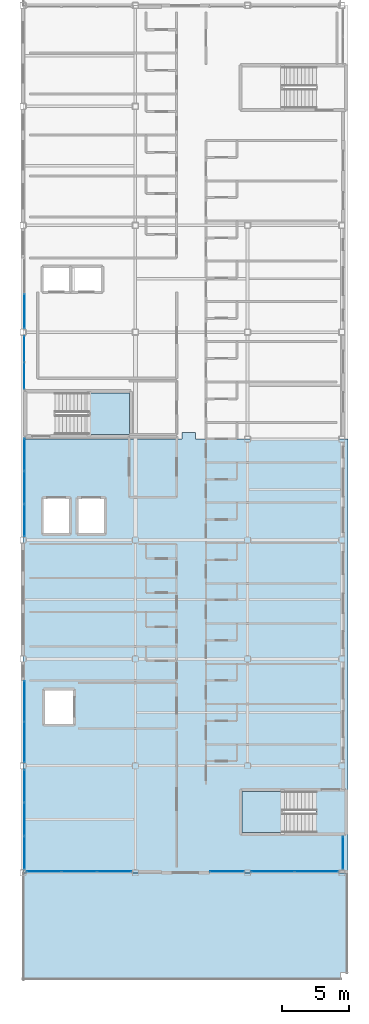
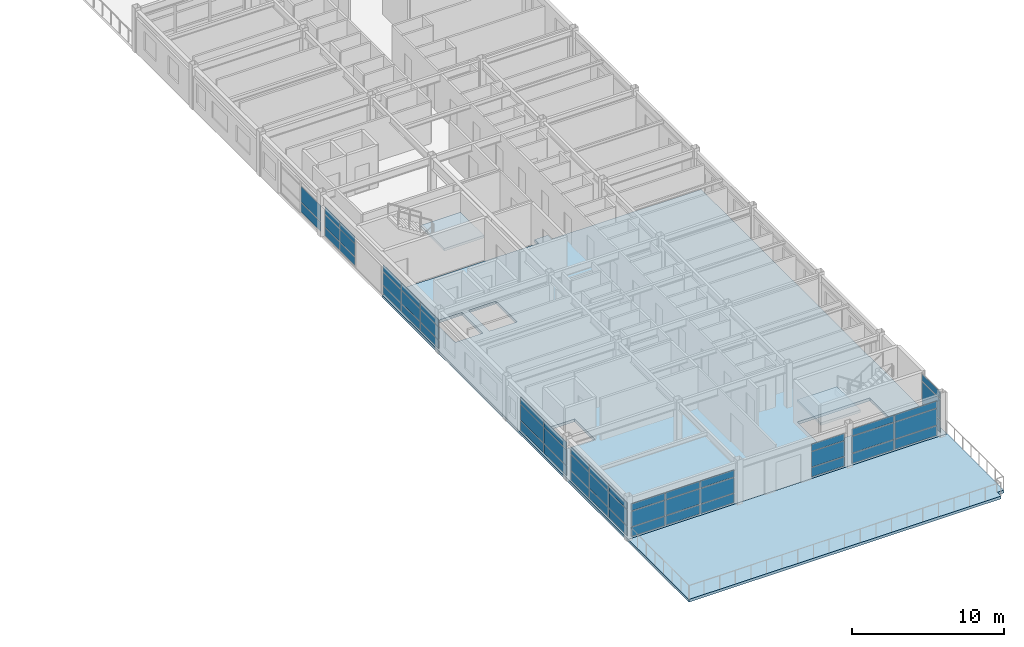
# One storey, part 18 of 28: 53 plates, 4 slabs, 11 elements without a shape of their own.
"""IFC4 building model written with IfcOpenShell, lengths in metres."""

from ifc_helpers import new_model, si_unit, direction, frame, origin, origin_2d, place, context, subcontext, project, spatial, polyline, rectangle, outline, extrude, material, layer, layer_set, type_object, element, aggregate, save


model = new_model("IFC4")

# Units and contexts
model_context = context("Model", 3, precision=1e-05, world=origin(), true_north=direction((0.0, 1.0)))
body_context = subcontext(model_context, "Body", "Model", "MODEL_VIEW")
ifc_project = project(units=[si_unit("LENGTHUNIT", "METRE"), si_unit("AREAUNIT", "SQUARE_METRE"), si_unit("VOLUMEUNIT", "CUBIC_METRE"), si_unit("PLANEANGLEUNIT", "RADIAN"), si_unit("MASSUNIT", "GRAM", prefix="KILO")], contexts=[model_context])

# Site, building, storey
site_placement = place(None, origin())
site = spatial("IfcSite", under=ifc_project, at=site_placement, CompositionType="ELEMENT")
building_placement = place(site_placement, origin())
building = spatial("IfcBuilding", under=site, at=building_placement, Name="Kazehara Bluff Congress Hotel", CompositionType="ELEMENT")
storey_placement = place(building_placement, frame((0.0, 0.0, 42.60009765625)))
storey = spatial("IfcBuildingStorey", under=building, at=storey_placement, Name="L10", CompositionType="ELEMENT", Elevation=42.60009765625)

# Curtain wall, plates
ifc_material_1 = material(Name="Anodised aluminium", Category="aluminium")
ifc_layer_1 = layer(ifc_material_1, 0.159912109375)
ifc_layer_set_1 = layer_set([ifc_layer_1], Name="Anodised aluminium")
curtain_wall_type_1 = type_object("IfcCurtainWallType", Name="TP-CW-196", PredefinedType="NOTDEFINED", material=ifc_layer_set_1)
curtain_wall_1_placement = place(storey_placement, origin())
curtain_wall_1 = element("IfcCurtainWall", 1, at=curtain_wall_1_placement, inside=storey, type_object=curtain_wall_type_1, Name="L10 curtain wall CW-196 CW-ENC-V5-L10-14790-1610", PredefinedType="NOTDEFINED")
ifc_material_2 = material(Name="Insulated low-E double glazing", Category="glass")
ifc_layer_2 = layer(ifc_material_2, 0.028076171875)
ifc_layer_set_2 = layer_set([ifc_layer_2], Name="Insulated low-E double glazing")
plate_type_1 = type_object("IfcPlateType", Name="TP-CWP-01", PredefinedType="CURTAIN_PANEL", material=ifc_layer_set_2)
plate_1_placement = place(storey_placement, frame((150.53369140625, 16.10009765625, 0.06494140625), z_axis=(0.0, 0.0, 1.0), x_axis=(-1.0, 0.0, 0.0)))
plate_1 = element("IfcPlate", 2, at=plate_1_placement, type_object=plate_type_1, Name="CW-196 panel 1.1", PredefinedType="CURTAIN_PANEL", context=body_context, shape_type="SweptSolid", body=[
    extrude(rectangle(XDim=2.552490234375, YDim=0.028076171875, at=origin_2d()), origin(), (0.0, 0.0, 1.0), 0.7275390625),
])
plate_2_placement = place(storey_placement, frame((150.53369140625, 16.10009765625, 0.857421875), z_axis=(0.0, 0.0, 1.0), x_axis=(-1.0, 0.0, 0.0)))
plate_2 = element("IfcPlate", 3, at=plate_2_placement, type_object=plate_type_1, Name="CW-196 panel 1.2", PredefinedType="CURTAIN_PANEL", context=body_context, shape_type="SweptSolid", body=[
    extrude(rectangle(XDim=2.552490234375, YDim=0.028076171875, at=origin_2d()), origin(), (0.0, 0.0, 1.0), 1.215087890625),
])
plate_3_placement = place(storey_placement, frame((150.53369140625, 16.10009765625, 2.13720703125), z_axis=(0.0, 0.0, 1.0), x_axis=(-1.0, 0.0, 0.0)))
plate_3 = element("IfcPlate", 4, at=plate_3_placement, type_object=plate_type_1, Name="CW-196 panel 1.3", PredefinedType="CURTAIN_PANEL", context=body_context, shape_type="SweptSolid", body=[
    extrude(rectangle(XDim=2.552490234375, YDim=0.028076171875, at=origin_2d()), origin(), (0.0, 0.0, 1.0), 0.552490234375),
])
plate_4_placement = place(storey_placement, frame((147.89990234375, 16.10009765625, 0.06494140625), z_axis=(0.0, 0.0, 1.0), x_axis=(-1.0, 0.0, 0.0)))
plate_4 = element("IfcPlate", 5, at=plate_4_placement, type_object=plate_type_1, Name="CW-196 panel 2.1", PredefinedType="CURTAIN_PANEL", context=body_context, shape_type="SweptSolid", body=[
    extrude(rectangle(XDim=2.5849609375, YDim=0.028076171875, at=origin_2d()), origin(), (0.0, 0.0, 1.0), 0.7275390625),
])
plate_5_placement = place(storey_placement, frame((147.89990234375, 16.10009765625, 0.857421875), z_axis=(0.0, 0.0, 1.0), x_axis=(-1.0, 0.0, 0.0)))
plate_5 = element("IfcPlate", 6, at=plate_5_placement, type_object=plate_type_1, Name="CW-196 panel 2.2", PredefinedType="CURTAIN_PANEL", context=body_context, shape_type="SweptSolid", body=[
    extrude(rectangle(XDim=2.5849609375, YDim=0.028076171875, at=origin_2d()), origin(), (0.0, 0.0, 1.0), 1.215087890625),
])
plate_6_placement = place(storey_placement, frame((147.89990234375, 16.10009765625, 2.13720703125), z_axis=(0.0, 0.0, 1.0), x_axis=(-1.0, 0.0, 0.0)))
plate_6 = element("IfcPlate", 7, at=plate_6_placement, type_object=plate_type_1, Name="CW-196 panel 2.3", PredefinedType="CURTAIN_PANEL", context=body_context, shape_type="SweptSolid", body=[
    extrude(rectangle(XDim=2.5849609375, YDim=0.028076171875, at=origin_2d()), origin(), (0.0, 0.0, 1.0), 0.552490234375),
])
plate_7_placement = place(storey_placement, frame((145.266357421875, 16.10009765625, 0.06494140625), z_axis=(0.0, 0.0, 1.0), x_axis=(-1.0, 0.0, 0.0)))
plate_7 = element("IfcPlate", 8, at=plate_7_placement, type_object=plate_type_1, Name="CW-196 panel 3.1", PredefinedType="CURTAIN_PANEL", context=body_context, shape_type="SweptSolid", body=[
    extrude(rectangle(XDim=2.552490234375, YDim=0.028076171875, at=origin_2d()), origin(), (0.0, 0.0, 1.0), 0.7275390625),
])
plate_8_placement = place(storey_placement, frame((145.266357421875, 16.10009765625, 0.857421875), z_axis=(0.0, 0.0, 1.0), x_axis=(-1.0, 0.0, 0.0)))
plate_8 = element("IfcPlate", 9, at=plate_8_placement, type_object=plate_type_1, Name="CW-196 panel 3.2", PredefinedType="CURTAIN_PANEL", context=body_context, shape_type="SweptSolid", body=[
    extrude(rectangle(XDim=2.552490234375, YDim=0.028076171875, at=origin_2d()), origin(), (0.0, 0.0, 1.0), 1.215087890625),
])
plate_9_placement = place(storey_placement, frame((145.266357421875, 16.10009765625, 2.13720703125), z_axis=(0.0, 0.0, 1.0), x_axis=(-1.0, 0.0, 0.0)))
plate_9 = element("IfcPlate", 10, at=plate_9_placement, type_object=plate_type_1, Name="CW-196 panel 3.3", PredefinedType="CURTAIN_PANEL", context=body_context, shape_type="SweptSolid", body=[
    extrude(rectangle(XDim=2.552490234375, YDim=0.028076171875, at=origin_2d()), origin(), (0.0, 0.0, 1.0), 0.552490234375),
])
aggregate(curtain_wall_1, [plate_1, plate_2, plate_3, plate_4, plate_5, plate_6, plate_7, plate_8, plate_9])

ifc_material_3 = material(Name="Anodised aluminium", Category="aluminium")
ifc_layer_3 = layer(ifc_material_3, 0.159912109375)
ifc_layer_set_3 = layer_set([ifc_layer_3], Name="Anodised aluminium")
curtain_wall_type_2 = type_object("IfcCurtainWallType", Name="TP-CW-198", PredefinedType="NOTDEFINED", material=ifc_layer_set_3)
curtain_wall_2_placement = place(storey_placement, origin())
curtain_wall_2 = element("IfcCurtainWall", 11, at=curtain_wall_2_placement, inside=storey, type_object=curtain_wall_type_2, Name="L10 curtain wall CW-198 CW-ENC-V5-L10-16402-1610", PredefinedType="NOTDEFINED")
plate_10_placement = place(storey_placement, frame((165.65869140625, 16.10009765625, 0.06494140625), z_axis=(0.0, 0.0, 1.0), x_axis=(-1.0, 0.0, 0.0)))
plate_10 = element("IfcPlate", 12, at=plate_10_placement, type_object=plate_type_1, Name="CW-198 panel 1.1", PredefinedType="CURTAIN_PANEL", context=body_context, shape_type="SweptSolid", body=[
    extrude(rectangle(XDim=3.202392578125, YDim=0.028076171875, at=origin_2d()), origin(), (0.0, 0.0, 1.0), 0.7724609375),
])
plate_11_placement = place(storey_placement, frame((165.65869140625, 16.10009765625, 0.90234375), z_axis=(0.0, 0.0, 1.0), x_axis=(-1.0, 0.0, 0.0)))
plate_11 = element("IfcPlate", 13, at=plate_11_placement, type_object=plate_type_1, Name="CW-198 panel 1.2", PredefinedType="CURTAIN_PANEL", context=body_context, shape_type="SweptSolid", body=[
    extrude(rectangle(XDim=3.202392578125, YDim=0.028076171875, at=origin_2d()), origin(), (0.0, 0.0, 1.0), 1.320068359375),
])
plate_12_placement = place(storey_placement, frame((165.65869140625, 16.10009765625, 2.28759765625), z_axis=(0.0, 0.0, 1.0), x_axis=(-1.0, 0.0, 0.0)))
plate_12 = element("IfcPlate", 14, at=plate_12_placement, type_object=plate_type_1, Name="CW-198 panel 1.3", PredefinedType="CURTAIN_PANEL", context=body_context, shape_type="SweptSolid", body=[
    extrude(rectangle(XDim=3.202392578125, YDim=0.028076171875, at=origin_2d()), origin(), (0.0, 0.0, 1.0), 0.552490234375),
])
plate_13_placement = place(storey_placement, frame((162.391357421875, 16.10009765625, 0.06494140625), z_axis=(0.0, 0.0, 1.0), x_axis=(-1.0, 0.0, 0.0)))
plate_13 = element("IfcPlate", 15, at=plate_13_placement, type_object=plate_type_1, Name="CW-198 panel 2.1", PredefinedType="CURTAIN_PANEL", context=body_context, shape_type="SweptSolid", body=[
    extrude(rectangle(XDim=3.202392578125, YDim=0.028076171875, at=origin_2d()), origin(), (0.0, 0.0, 1.0), 0.7724609375),
])
plate_14_placement = place(storey_placement, frame((162.391357421875, 16.10009765625, 0.90234375), z_axis=(0.0, 0.0, 1.0), x_axis=(-1.0, 0.0, 0.0)))
plate_14 = element("IfcPlate", 16, at=plate_14_placement, type_object=plate_type_1, Name="CW-198 panel 2.2", PredefinedType="CURTAIN_PANEL", context=body_context, shape_type="SweptSolid", body=[
    extrude(rectangle(XDim=3.202392578125, YDim=0.028076171875, at=origin_2d()), origin(), (0.0, 0.0, 1.0), 1.320068359375),
])
plate_15_placement = place(storey_placement, frame((162.391357421875, 16.10009765625, 2.28759765625), z_axis=(0.0, 0.0, 1.0), x_axis=(-1.0, 0.0, 0.0)))
plate_15 = element("IfcPlate", 17, at=plate_15_placement, type_object=plate_type_1, Name="CW-198 panel 2.3", PredefinedType="CURTAIN_PANEL", context=body_context, shape_type="SweptSolid", body=[
    extrude(rectangle(XDim=3.202392578125, YDim=0.028076171875, at=origin_2d()), origin(), (0.0, 0.0, 1.0), 0.552490234375),
])
aggregate(curtain_wall_2, [plate_10, plate_11, plate_12, plate_13, plate_14, plate_15])

ifc_material_4 = material(Name="Anodised aluminium", Category="aluminium")
ifc_layer_4 = layer(ifc_material_4, 0.159912109375)
ifc_layer_set_4 = layer_set([ifc_layer_4], Name="Anodised aluminium")
curtain_wall_type_3 = type_object("IfcCurtainWallType", Name="TP-CW-201", PredefinedType="NOTDEFINED", material=ifc_layer_set_4)
curtain_wall_3_placement = place(storey_placement, origin())
curtain_wall_3 = element("IfcCurtainWall", 18, at=curtain_wall_3_placement, inside=storey, type_object=curtain_wall_type_3, Name="L10 curtain wall CW-201 CW-ENC-V5-L10-14380-2000", PredefinedType="NOTDEFINED")
plate_16_placement = place(storey_placement, frame((143.800048828125, 17.49951171875, 0.06494140625), z_axis=(0.0, 0.0, 1.0), x_axis=(0.0, 1.0, 0.0)))
plate_16 = element("IfcPlate", 19, at=plate_16_placement, type_object=plate_type_1, Name="CW-201 panel 1.1", PredefinedType="CURTAIN_PANEL", context=body_context, shape_type="SweptSolid", body=[
    extrude(rectangle(XDim=2.419189453125, YDim=0.028076171875, at=origin_2d()), origin(), (0.0, 0.0, 1.0), 0.742431640625),
])
plate_17_placement = place(storey_placement, frame((143.800048828125, 17.49951171875, 0.872314453125), z_axis=(0.0, 0.0, 1.0), x_axis=(0.0, 1.0, 0.0)))
plate_17 = element("IfcPlate", 20, at=plate_17_placement, type_object=plate_type_1, Name="CW-201 panel 1.2", PredefinedType="CURTAIN_PANEL", context=body_context, shape_type="SweptSolid", body=[
    extrude(rectangle(XDim=2.419189453125, YDim=0.028076171875, at=origin_2d()), origin(), (0.0, 0.0, 1.0), 1.25),
])
plate_18_placement = place(storey_placement, frame((143.800048828125, 17.49951171875, 2.1875), z_axis=(0.0, 0.0, 1.0), x_axis=(0.0, 1.0, 0.0)))
plate_18 = element("IfcPlate", 21, at=plate_18_placement, type_object=plate_type_1, Name="CW-201 panel 1.3", PredefinedType="CURTAIN_PANEL", context=body_context, shape_type="SweptSolid", body=[
    extrude(rectangle(XDim=2.419189453125, YDim=0.028076171875, at=origin_2d()), origin(), (0.0, 0.0, 1.0), 0.552490234375),
])
plate_19_placement = place(storey_placement, frame((143.800048828125, 20.0, 0.06494140625), z_axis=(0.0, 0.0, 1.0), x_axis=(0.0, 1.0, 0.0)))
plate_19 = element("IfcPlate", 22, at=plate_19_placement, type_object=plate_type_1, Name="CW-201 panel 2.1", PredefinedType="CURTAIN_PANEL", context=body_context, shape_type="SweptSolid", body=[
    extrude(rectangle(XDim=2.45166015625, YDim=0.028076171875, at=origin_2d()), origin(), (0.0, 0.0, 1.0), 0.742431640625),
])
plate_20_placement = place(storey_placement, frame((143.800048828125, 20.0, 0.872314453125), z_axis=(0.0, 0.0, 1.0), x_axis=(0.0, 1.0, 0.0)))
plate_20 = element("IfcPlate", 23, at=plate_20_placement, type_object=plate_type_1, Name="CW-201 panel 2.2", PredefinedType="CURTAIN_PANEL", context=body_context, shape_type="SweptSolid", body=[
    extrude(rectangle(XDim=2.45166015625, YDim=0.028076171875, at=origin_2d()), origin(), (0.0, 0.0, 1.0), 1.25),
])
plate_21_placement = place(storey_placement, frame((143.800048828125, 20.0, 2.1875), z_axis=(0.0, 0.0, 1.0), x_axis=(0.0, 1.0, 0.0)))
plate_21 = element("IfcPlate", 24, at=plate_21_placement, type_object=plate_type_1, Name="CW-201 panel 2.3", PredefinedType="CURTAIN_PANEL", context=body_context, shape_type="SweptSolid", body=[
    extrude(rectangle(XDim=2.45166015625, YDim=0.028076171875, at=origin_2d()), origin(), (0.0, 0.0, 1.0), 0.552490234375),
])
plate_22_placement = place(storey_placement, frame((143.800048828125, 22.50048828125, 0.06494140625), z_axis=(0.0, 0.0, 1.0), x_axis=(0.0, 1.0, 0.0)))
plate_22 = element("IfcPlate", 25, at=plate_22_placement, type_object=plate_type_1, Name="CW-201 panel 3.1", PredefinedType="CURTAIN_PANEL", context=body_context, shape_type="SweptSolid", body=[
    extrude(rectangle(XDim=2.419189453125, YDim=0.028076171875, at=origin_2d()), origin(), (0.0, 0.0, 1.0), 0.742431640625),
])
plate_23_placement = place(storey_placement, frame((143.800048828125, 22.50048828125, 0.872314453125), z_axis=(0.0, 0.0, 1.0), x_axis=(0.0, 1.0, 0.0)))
plate_23 = element("IfcPlate", 26, at=plate_23_placement, type_object=plate_type_1, Name="CW-201 panel 3.2", PredefinedType="CURTAIN_PANEL", context=body_context, shape_type="SweptSolid", body=[
    extrude(rectangle(XDim=2.419189453125, YDim=0.028076171875, at=origin_2d()), origin(), (0.0, 0.0, 1.0), 1.25),
])
plate_24_placement = place(storey_placement, frame((143.800048828125, 22.50048828125, 2.1875), z_axis=(0.0, 0.0, 1.0), x_axis=(0.0, 1.0, 0.0)))
plate_24 = element("IfcPlate", 27, at=plate_24_placement, type_object=plate_type_1, Name="CW-201 panel 3.3", PredefinedType="CURTAIN_PANEL", context=body_context, shape_type="SweptSolid", body=[
    extrude(rectangle(XDim=2.419189453125, YDim=0.028076171875, at=origin_2d()), origin(), (0.0, 0.0, 1.0), 0.552490234375),
])
aggregate(curtain_wall_3, [plate_16, plate_17, plate_18, plate_19, plate_20, plate_21, plate_22, plate_23, plate_24])

ifc_material_5 = material(Name="Anodised aluminium", Category="aluminium")
ifc_layer_5 = layer(ifc_material_5, 0.159912109375)
ifc_layer_set_5 = layer_set([ifc_layer_5], Name="Anodised aluminium")
curtain_wall_type_4 = type_object("IfcCurtainWallType", Name="TP-CW-202", PredefinedType="NOTDEFINED", material=ifc_layer_set_5)
curtain_wall_4_placement = place(storey_placement, origin())
curtain_wall_4 = element("IfcCurtainWall", 28, at=curtain_wall_4_placement, inside=storey, type_object=curtain_wall_type_4, Name="L10 curtain wall CW-202 CW-ENC-V5-L10-14380-2731", PredefinedType="NOTDEFINED")
plate_25_placement = place(storey_placement, frame((143.800048828125, 25.78369140625, 0.059814453125), z_axis=(0.0, 0.0, 1.0), x_axis=(0.0, 1.0, 0.0)))
plate_25 = element("IfcPlate", 29, at=plate_25_placement, type_object=plate_type_1, Name="CW-202 panel 1.1", PredefinedType="CURTAIN_PANEL", context=body_context, shape_type="SweptSolid", body=[
    extrude(rectangle(XDim=2.99755859375, YDim=0.028076171875, at=origin_2d()), origin(), (0.0, 0.0, 1.0), 0.75),
])
plate_26_placement = place(storey_placement, frame((143.800048828125, 25.78369140625, 0.869873046875), z_axis=(0.0, 0.0, 1.0), x_axis=(0.0, 1.0, 0.0)))
plate_26 = element("IfcPlate", 30, at=plate_26_placement, type_object=plate_type_1, Name="CW-202 panel 1.2", PredefinedType="CURTAIN_PANEL", context=body_context, shape_type="SweptSolid", body=[
    extrude(rectangle(XDim=2.99755859375, YDim=0.028076171875, at=origin_2d()), origin(), (0.0, 0.0, 1.0), 1.2548828125),
])
plate_27_placement = place(storey_placement, frame((143.800048828125, 25.78369140625, 2.184814453125), z_axis=(0.0, 0.0, 1.0), x_axis=(0.0, 1.0, 0.0)))
plate_27 = element("IfcPlate", 31, at=plate_27_placement, type_object=plate_type_1, Name="CW-202 panel 1.3", PredefinedType="CURTAIN_PANEL", context=body_context, shape_type="SweptSolid", body=[
    extrude(rectangle(XDim=2.99755859375, YDim=0.028076171875, at=origin_2d()), origin(), (0.0, 0.0, 1.0), 0.56005859375),
])
plate_28_placement = place(storey_placement, frame((143.800048828125, 28.84130859375, 0.059814453125), z_axis=(0.0, 0.0, 1.0), x_axis=(0.0, 1.0, 0.0)))
plate_28 = element("IfcPlate", 32, at=plate_28_placement, type_object=plate_type_1, Name="CW-202 panel 2.1", PredefinedType="CURTAIN_PANEL", context=body_context, shape_type="SweptSolid", body=[
    extrude(rectangle(XDim=2.99755859375, YDim=0.028076171875, at=origin_2d()), origin(), (0.0, 0.0, 1.0), 0.75),
])
plate_29_placement = place(storey_placement, frame((143.800048828125, 28.84130859375, 0.869873046875), z_axis=(0.0, 0.0, 1.0), x_axis=(0.0, 1.0, 0.0)))
plate_29 = element("IfcPlate", 33, at=plate_29_placement, type_object=plate_type_1, Name="CW-202 panel 2.2", PredefinedType="CURTAIN_PANEL", context=body_context, shape_type="SweptSolid", body=[
    extrude(rectangle(XDim=2.99755859375, YDim=0.028076171875, at=origin_2d()), origin(), (0.0, 0.0, 1.0), 1.2548828125),
])
plate_30_placement = place(storey_placement, frame((143.800048828125, 28.84130859375, 2.184814453125), z_axis=(0.0, 0.0, 1.0), x_axis=(0.0, 1.0, 0.0)))
plate_30 = element("IfcPlate", 34, at=plate_30_placement, type_object=plate_type_1, Name="CW-202 panel 2.3", PredefinedType="CURTAIN_PANEL", context=body_context, shape_type="SweptSolid", body=[
    extrude(rectangle(XDim=2.99755859375, YDim=0.028076171875, at=origin_2d()), origin(), (0.0, 0.0, 1.0), 0.56005859375),
])
aggregate(curtain_wall_4, [plate_25, plate_26, plate_27, plate_28, plate_29, plate_30])

ifc_material_6 = material(Name="Anodised aluminium", Category="aluminium")
ifc_layer_6 = layer(ifc_material_6, 0.159912109375)
ifc_layer_set_6 = layer_set([ifc_layer_6], Name="Anodised aluminium")
curtain_wall_type_5 = type_object("IfcCurtainWallType", Name="TP-CW-203", PredefinedType="NOTDEFINED", material=ifc_layer_set_6)
curtain_wall_5_placement = place(storey_placement, origin())
curtain_wall_5 = element("IfcCurtainWall", 35, at=curtain_wall_5_placement, inside=storey, type_object=curtain_wall_type_5, Name="L10 curtain wall CW-203 CW-ENC-V5-L10-14380-4483", PredefinedType="NOTDEFINED")
plate_31_placement = place(storey_placement, frame((143.800048828125, 42.377197265625, 0.06494140625), z_axis=(0.0, 0.0, 1.0), x_axis=(0.0, 1.0, 0.0)))
plate_31 = element("IfcPlate", 36, at=plate_31_placement, type_object=plate_type_1, Name="CW-203 panel 1.1", PredefinedType="CURTAIN_PANEL", context=body_context, shape_type="SweptSolid", body=[
    extrude(rectangle(XDim=2.374267578125, YDim=0.028076171875, at=origin_2d()), origin(), (0.0, 0.0, 1.0), 0.637451171875),
])
plate_32_placement = place(storey_placement, frame((143.800048828125, 42.377197265625, 0.767578125), z_axis=(0.0, 0.0, 1.0), x_axis=(0.0, 1.0, 0.0)))
plate_32 = element("IfcPlate", 37, at=plate_32_placement, type_object=plate_type_1, Name="CW-203 panel 1.2", PredefinedType="CURTAIN_PANEL", context=body_context, shape_type="SweptSolid", body=[
    extrude(rectangle(XDim=2.374267578125, YDim=0.028076171875, at=origin_2d()), origin(), (0.0, 0.0, 1.0), 1.0048828125),
])
plate_33_placement = place(storey_placement, frame((143.800048828125, 42.377197265625, 1.83740234375), z_axis=(0.0, 0.0, 1.0), x_axis=(0.0, 1.0, 0.0)))
plate_33 = element("IfcPlate", 38, at=plate_33_placement, type_object=plate_type_1, Name="CW-203 panel 1.3", PredefinedType="CURTAIN_PANEL", context=body_context, shape_type="SweptSolid", body=[
    extrude(rectangle(XDim=2.374267578125, YDim=0.028076171875, at=origin_2d()), origin(), (0.0, 0.0, 1.0), 0.552490234375),
])
plate_34_placement = place(storey_placement, frame((143.800048828125, 44.83251953125, 0.06494140625), z_axis=(0.0, 0.0, 1.0), x_axis=(0.0, 1.0, 0.0)))
plate_34 = element("IfcPlate", 39, at=plate_34_placement, type_object=plate_type_1, Name="CW-203 panel 2.1", PredefinedType="CURTAIN_PANEL", context=body_context, shape_type="SweptSolid", body=[
    extrude(rectangle(XDim=2.40673828125, YDim=0.028076171875, at=origin_2d()), origin(), (0.0, 0.0, 1.0), 0.637451171875),
])
plate_35_placement = place(storey_placement, frame((143.800048828125, 44.83251953125, 0.767578125), z_axis=(0.0, 0.0, 1.0), x_axis=(0.0, 1.0, 0.0)))
plate_35 = element("IfcPlate", 40, at=plate_35_placement, type_object=plate_type_1, Name="CW-203 panel 2.2", PredefinedType="CURTAIN_PANEL", context=body_context, shape_type="SweptSolid", body=[
    extrude(rectangle(XDim=2.40673828125, YDim=0.028076171875, at=origin_2d()), origin(), (0.0, 0.0, 1.0), 1.0048828125),
])
plate_36_placement = place(storey_placement, frame((143.800048828125, 44.83251953125, 1.83740234375), z_axis=(0.0, 0.0, 1.0), x_axis=(0.0, 1.0, 0.0)))
plate_36 = element("IfcPlate", 41, at=plate_36_placement, type_object=plate_type_1, Name="CW-203 panel 2.3", PredefinedType="CURTAIN_PANEL", context=body_context, shape_type="SweptSolid", body=[
    extrude(rectangle(XDim=2.40673828125, YDim=0.028076171875, at=origin_2d()), origin(), (0.0, 0.0, 1.0), 0.552490234375),
])
plate_37_placement = place(storey_placement, frame((143.800048828125, 47.287841796875, 0.06494140625), z_axis=(0.0, 0.0, 1.0), x_axis=(0.0, 1.0, 0.0)))
plate_37 = element("IfcPlate", 42, at=plate_37_placement, type_object=plate_type_1, Name="CW-203 panel 3.1", PredefinedType="CURTAIN_PANEL", context=body_context, shape_type="SweptSolid", body=[
    extrude(rectangle(XDim=2.374267578125, YDim=0.028076171875, at=origin_2d()), origin(), (0.0, 0.0, 1.0), 0.637451171875),
])
plate_38_placement = place(storey_placement, frame((143.800048828125, 47.287841796875, 0.767578125), z_axis=(0.0, 0.0, 1.0), x_axis=(0.0, 1.0, 0.0)))
plate_38 = element("IfcPlate", 43, at=plate_38_placement, type_object=plate_type_1, Name="CW-203 panel 3.2", PredefinedType="CURTAIN_PANEL", context=body_context, shape_type="SweptSolid", body=[
    extrude(rectangle(XDim=2.374267578125, YDim=0.028076171875, at=origin_2d()), origin(), (0.0, 0.0, 1.0), 1.0048828125),
])
plate_39_placement = place(storey_placement, frame((143.800048828125, 47.287841796875, 1.83740234375), z_axis=(0.0, 0.0, 1.0), x_axis=(0.0, 1.0, 0.0)))
plate_39 = element("IfcPlate", 44, at=plate_39_placement, type_object=plate_type_1, Name="CW-203 panel 3.3", PredefinedType="CURTAIN_PANEL", context=body_context, shape_type="SweptSolid", body=[
    extrude(rectangle(XDim=2.374267578125, YDim=0.028076171875, at=origin_2d()), origin(), (0.0, 0.0, 1.0), 0.552490234375),
])
aggregate(curtain_wall_5, [plate_31, plate_32, plate_33, plate_34, plate_35, plate_36, plate_37, plate_38, plate_39])

ifc_material_7 = material(Name="Anodised aluminium", Category="aluminium")
ifc_layer_7 = layer(ifc_material_7, 0.159912109375)
ifc_layer_set_7 = layer_set([ifc_layer_7], Name="Anodised aluminium")
curtain_wall_type_6 = type_object("IfcCurtainWallType", Name="TP-CW-205", PredefinedType="NOTDEFINED", material=ifc_layer_set_7)
curtain_wall_6_placement = place(storey_placement, origin())
curtain_wall_6 = element("IfcCurtainWall", 45, at=curtain_wall_6_placement, inside=storey, type_object=curtain_wall_type_6, Name="L10 curtain wall CW-205 CW-ENC-V5-L10-14380-5934", PredefinedType="NOTDEFINED")
plate_40_placement = place(storey_placement, frame((143.800048828125, 58.021240234375, 0.059814453125), z_axis=(0.0, 0.0, 1.0), x_axis=(0.0, 1.0, 0.0)))
plate_40 = element("IfcPlate", 46, at=plate_40_placement, type_object=plate_type_1, Name="CW-205 panel 1.1", PredefinedType="CURTAIN_PANEL", context=body_context, shape_type="SweptSolid", body=[
    extrude(rectangle(XDim=2.572509765625, YDim=0.028076171875, at=origin_2d()), origin(), (0.0, 0.0, 1.0), 0.75),
])
plate_41_placement = place(storey_placement, frame((143.800048828125, 58.021240234375, 0.869873046875), z_axis=(0.0, 0.0, 1.0), x_axis=(0.0, 1.0, 0.0)))
plate_41 = element("IfcPlate", 47, at=plate_41_placement, type_object=plate_type_1, Name="CW-205 panel 1.2", PredefinedType="CURTAIN_PANEL", context=body_context, shape_type="SweptSolid", body=[
    extrude(rectangle(XDim=2.572509765625, YDim=0.028076171875, at=origin_2d()), origin(), (0.0, 0.0, 1.0), 1.2548828125),
])
aggregate(curtain_wall_6, [plate_40, plate_41])

ifc_material_8 = material(Name="Anodised aluminium", Category="aluminium")
ifc_layer_8 = layer(ifc_material_8, 0.159912109375)
ifc_layer_set_8 = layer_set([ifc_layer_8], Name="Anodised aluminium")
curtain_wall_type_7 = type_object("IfcCurtainWallType", Name="TP-CW-197", PredefinedType="NOTDEFINED", material=ifc_layer_set_8)
curtain_wall_7_placement = place(storey_placement, origin())
curtain_wall_7 = element("IfcCurtainWall", 48, at=curtain_wall_7_placement, inside=storey, type_object=curtain_wall_type_7, Name="L10 curtain wall CW-197 CW-ENC-V5-L10-15896-1610", PredefinedType="NOTDEFINED")
ifc_material_9 = material(Name="Insulated low-E double glazing", Category="glass")
ifc_layer_9 = layer(ifc_material_9, 0.02001953125)
ifc_layer_set_9 = layer_set([ifc_layer_9], Name="Insulated low-E double glazing")
plate_type_2 = type_object("IfcPlateType", Name="TP-CWP-03", PredefinedType="CURTAIN_PANEL", material=ifc_layer_set_9)
plate_42_placement = place(storey_placement, frame((158.96240234375, 16.10009765625, 0.06005859375), z_axis=(0.0, 0.0, 1.0), x_axis=(-1.0, 0.0, 0.0)))
plate_42 = element("IfcPlate", 49, at=plate_42_placement, type_object=plate_type_2, Name="CW-197 panel 1.1", PredefinedType="CURTAIN_PANEL", context=body_context, shape_type="SweptSolid", body=[
    extrude(rectangle(XDim=2.5048828125, YDim=0.02001953125, at=origin_2d()), origin(), (0.0, 0.0, 1.0), 0.735107421875),
])
plate_43_placement = place(storey_placement, frame((158.96240234375, 16.10009765625, 0.85498046875), z_axis=(0.0, 0.0, 1.0), x_axis=(-1.0, 0.0, 0.0)))
plate_43 = element("IfcPlate", 50, at=plate_43_placement, type_object=plate_type_2, Name="CW-197 panel 1.2", PredefinedType="CURTAIN_PANEL", context=body_context, shape_type="SweptSolid", body=[
    extrude(rectangle(XDim=2.5048828125, YDim=0.02001953125, at=origin_2d()), origin(), (0.0, 0.0, 1.0), 1.219970703125),
])
plate_44_placement = place(storey_placement, frame((158.96240234375, 16.10009765625, 2.134765625), z_axis=(0.0, 0.0, 1.0), x_axis=(-1.0, 0.0, 0.0)))
plate_44 = element("IfcPlate", 51, at=plate_44_placement, type_object=plate_type_2, Name="CW-197 panel 1.3", PredefinedType="CURTAIN_PANEL", context=body_context, shape_type="SweptSolid", body=[
    extrude(rectangle(XDim=2.5048828125, YDim=0.02001953125, at=origin_2d()), origin(), (0.0, 0.0, 1.0), 0.56005859375),
])
aggregate(curtain_wall_7, [plate_42, plate_43, plate_44])

ifc_material_10 = material(Name="Anodised aluminium", Category="aluminium")
ifc_layer_10 = layer(ifc_material_10, 0.159912109375)
ifc_layer_set_10 = layer_set([ifc_layer_10], Name="Anodised aluminium")
curtain_wall_type_8 = type_object("IfcCurtainWallType", Name="TP-CW-199", PredefinedType="NOTDEFINED", material=ifc_layer_set_10)
curtain_wall_8_placement = place(storey_placement, origin())
curtain_wall_8 = element("IfcCurtainWall", 52, at=curtain_wall_8_placement, inside=storey, type_object=curtain_wall_type_8, Name="L10 curtain wall CW-199 CW-ENC-V5-L10-16765-1748", PredefinedType="NOTDEFINED")
plate_45_placement = place(storey_placement, frame((167.64990234375, 17.485107421875, 0.06005859375), z_axis=(0.0, 0.0, 1.0), x_axis=(0.0, -1.0, 0.0)))
plate_45 = element("IfcPlate", 53, at=plate_45_placement, type_object=plate_type_2, Name="CW-199 panel 1.1", PredefinedType="CURTAIN_PANEL", context=body_context, shape_type="SweptSolid", body=[
    extrude(rectangle(XDim=2.389892578125, YDim=0.02001953125, at=origin_2d()), origin(), (0.0, 0.0, 1.0), 0.919921875),
])
plate_46_placement = place(storey_placement, frame((167.64990234375, 17.485107421875, 1.039794921875), z_axis=(0.0, 0.0, 1.0), x_axis=(0.0, -1.0, 0.0)))
plate_46 = element("IfcPlate", 54, at=plate_46_placement, type_object=plate_type_2, Name="CW-199 panel 1.2", PredefinedType="CURTAIN_PANEL", context=body_context, shape_type="SweptSolid", body=[
    extrude(rectangle(XDim=2.389892578125, YDim=0.02001953125, at=origin_2d()), origin(), (0.0, 0.0, 1.0), 1.64501953125),
])
plate_47_placement = place(storey_placement, frame((167.64990234375, 17.485107421875, 2.744873046875), z_axis=(0.0, 0.0, 1.0), x_axis=(0.0, -1.0, 0.0)))
plate_47 = element("IfcPlate", 55, at=plate_47_placement, type_object=plate_type_2, Name="CW-199 panel 1.3", PredefinedType="CURTAIN_PANEL", context=body_context, shape_type="SweptSolid", body=[
    extrude(rectangle(XDim=2.389892578125, YDim=0.02001953125, at=origin_2d()), origin(), (0.0, 0.0, 1.0), 0.56005859375),
])
aggregate(curtain_wall_8, [plate_45, plate_46, plate_47])

ifc_material_11 = material(Name="Anodised aluminium", Category="aluminium")
ifc_layer_11 = layer(ifc_material_11, 0.159912109375)
ifc_layer_set_11 = layer_set([ifc_layer_11], Name="Anodised aluminium")
curtain_wall_type_9 = type_object("IfcCurtainWallType", Name="TP-CW-204", PredefinedType="NOTDEFINED", material=ifc_layer_set_11)
curtain_wall_9_placement = place(storey_placement, origin())
curtain_wall_9 = element("IfcCurtainWall", 56, at=curtain_wall_9_placement, inside=storey, type_object=curtain_wall_type_9, Name="L10 curtain wall CW-204 CW-ENC-V5-L10-14380-5419", PredefinedType="NOTDEFINED")
plate_48_placement = place(storey_placement, frame((143.800048828125, 53.191162109375, 0.059814453125), z_axis=(0.0, 0.0, 1.0), x_axis=(0.0, 1.0, 0.0)))
plate_48 = element("IfcPlate", 57, at=plate_48_placement, type_object=plate_type_2, Name="CW-204 panel 1.1", PredefinedType="CURTAIN_PANEL", context=body_context, shape_type="SweptSolid", body=[
    extrude(rectangle(XDim=1.9423828125, YDim=0.02001953125, at=origin_2d()), origin(), (0.0, 0.0, 1.0), 0.64501953125),
])
plate_49_placement = place(storey_placement, frame((143.800048828125, 53.191162109375, 0.76513671875), z_axis=(0.0, 0.0, 1.0), x_axis=(0.0, 1.0, 0.0)))
plate_49 = element("IfcPlate", 58, at=plate_49_placement, type_object=plate_type_2, Name="CW-204 panel 1.2", PredefinedType="CURTAIN_PANEL", context=body_context, shape_type="SweptSolid", body=[
    extrude(rectangle(XDim=1.9423828125, YDim=0.02001953125, at=origin_2d()), origin(), (0.0, 0.0, 1.0), 1.010009765625),
])
plate_50_placement = place(storey_placement, frame((143.800048828125, 53.191162109375, 1.8349609375), z_axis=(0.0, 0.0, 1.0), x_axis=(0.0, 1.0, 0.0)))
plate_50 = element("IfcPlate", 59, at=plate_50_placement, type_object=plate_type_2, Name="CW-204 panel 1.3", PredefinedType="CURTAIN_PANEL", context=body_context, shape_type="SweptSolid", body=[
    extrude(rectangle(XDim=1.9423828125, YDim=0.02001953125, at=origin_2d()), origin(), (0.0, 0.0, 1.0), 0.56005859375),
])
plate_51_placement = place(storey_placement, frame((143.800048828125, 55.19384765625, 0.059814453125), z_axis=(0.0, 0.0, 1.0), x_axis=(0.0, 1.0, 0.0)))
plate_51 = element("IfcPlate", 60, at=plate_51_placement, type_object=plate_type_2, Name="CW-204 panel 2.1", PredefinedType="CURTAIN_PANEL", context=body_context, shape_type="SweptSolid", body=[
    extrude(rectangle(XDim=1.9423828125, YDim=0.02001953125, at=origin_2d()), origin(), (0.0, 0.0, 1.0), 0.64501953125),
])
plate_52_placement = place(storey_placement, frame((143.800048828125, 55.19384765625, 0.76513671875), z_axis=(0.0, 0.0, 1.0), x_axis=(0.0, 1.0, 0.0)))
plate_52 = element("IfcPlate", 61, at=plate_52_placement, type_object=plate_type_2, Name="CW-204 panel 2.2", PredefinedType="CURTAIN_PANEL", context=body_context, shape_type="SweptSolid", body=[
    extrude(rectangle(XDim=1.9423828125, YDim=0.02001953125, at=origin_2d()), origin(), (0.0, 0.0, 1.0), 1.010009765625),
])
plate_53_placement = place(storey_placement, frame((143.800048828125, 55.19384765625, 1.8349609375), z_axis=(0.0, 0.0, 1.0), x_axis=(0.0, 1.0, 0.0)))
plate_53 = element("IfcPlate", 62, at=plate_53_placement, type_object=plate_type_2, Name="CW-204 panel 2.3", PredefinedType="CURTAIN_PANEL", context=body_context, shape_type="SweptSolid", body=[
    extrude(rectangle(XDim=1.9423828125, YDim=0.02001953125, at=origin_2d()), origin(), (0.0, 0.0, 1.0), 0.56005859375),
])
aggregate(curtain_wall_9, [plate_48, plate_49, plate_50, plate_51, plate_52, plate_53])

# Slabs
ifc_material_12 = material(Name="Concrete C36/45", Category="concrete")
ifc_layer_12 = layer(ifc_material_12, 0.219970703125)
ifc_layer_set_12 = layer_set([ifc_layer_12], Name="Concrete C36/45")
slab_type_1 = type_object("IfcSlabType", Name="TP-SL-220", PredefinedType="FLOOR", material=ifc_layer_set_12)
slab_1_placement = place(storey_placement, frame((0.0, 0.0, -0.22021484375)))
element("IfcSlab", 63, at=slab_1_placement, inside=storey, type_object=slab_type_1, Name="L10 V5 composite floor slab S", PredefinedType="FLOOR", context=body_context, shape_type="SweptSolid", body=[
    extrude(outline(polyline([(143.699951171875, 16.0), (143.699951171875, 48.449951171875), (155.60009765625, 48.449951171875), (155.60009765625, 48.949951171875), (156.60009765625, 48.949951171875), (156.60009765625, 48.449951171875), (168.0, 48.449951171875), (168.0, 16.0), (143.699951171875, 16.0)]), holes=[polyline([(165.625, 22.10009765625), (160.10009765625, 22.10009765625), (160.10009765625, 19.0), (165.625, 19.0), (165.625, 22.10009765625)]), polyline([(145.14990234375, 41.324951171875), (147.25, 41.324951171875), (147.25, 44.074951171875), (145.14990234375, 44.074951171875), (145.14990234375, 41.324951171875)]), polyline([(147.75, 41.324951171875), (149.85009765625, 41.324951171875), (149.85009765625, 44.074951171875), (147.75, 44.074951171875), (147.75, 41.324951171875)]), polyline([(145.25, 27.050048828125), (147.550048828125, 27.050048828125), (147.550048828125, 29.75), (145.25, 29.75), (145.25, 27.050048828125)])]), origin(), (0.0, 0.0, 1.0), 0.22021484375),
])
ifc_material_13 = material(Name="Concrete C36/45", Category="concrete")
ifc_layer_13 = layer(ifc_material_13, 0.219970703125)
ifc_layer_set_13 = layer_set([ifc_layer_13], Name="Concrete C36/45")
slab_type_2 = type_object("IfcSlabType", Name="TP-SL-TER", PredefinedType="FLOOR", material=ifc_layer_set_13)
slab_2_placement = place(storey_placement, frame((0.0, 0.0, -0.22021484375)))
element("IfcSlab", 64, at=slab_2_placement, inside=storey, type_object=slab_type_2, Name="Executive South Sky Terrace", PredefinedType="FLOOR", context=body_context, shape_type="SweptSolid", body=[
    extrude(outline(polyline([(143.699951171875, 8.0), (167.5, 8.0), (167.5, 8.5), (168.0, 8.5), (168.0, 16.0), (143.699951171875, 16.0), (143.699951171875, 8.0)])), origin(), (0.0, 0.0, 1.0), 0.22021484375),
])

# Stair, slab
ifc_material_14 = material(Name="Concrete C36/45", Category="concrete")
stair_type = type_object("IfcStairType", Name="TP-ST-T03", PredefinedType="HALF_TURN_STAIR", material=ifc_material_14)
stair_1_placement = place(storey_placement, origin())
stair_1 = element("IfcStair", 65, at=stair_1_placement, inside=storey, type_object=stair_type, Name="L10 Escape stair ST-10", PredefinedType="HALF_TURN_STAIR")
ifc_material_15 = material(Name="Concrete C36/45", Category="concrete")
ifc_layer_14 = layer(ifc_material_15, 0.199951171875)
ifc_layer_set_14 = layer_set([ifc_layer_14], Name="Concrete C36/45")
slab_type_3 = type_object("IfcSlabType", Name="TP-SLD-200", PredefinedType="LANDING", material=ifc_layer_set_14)
slab_3_placement = place(storey_placement, frame((0.0, 0.0, 1.599853515625)))
slab_3 = element("IfcSlab", 66, at=slab_3_placement, type_object=slab_type_3, Name="ST-10 landing 1", PredefinedType="LANDING", context=body_context, shape_type="SweptSolid", body=[
    extrude(outline(polyline([(163.1298828125, 22.10009765625), (160.10009765625, 22.10009765625), (160.10009765625, 19.0), (163.1298828125, 19.0), (163.1298828125, 22.10009765625)])), origin(), (0.0, 0.0, 1.0), 0.199951171875),
])
aggregate(stair_1, [slab_3])

stair_2_placement = place(storey_placement, origin())
stair_2 = element("IfcStair", 67, at=stair_2_placement, inside=storey, type_object=stair_type, Name="L10 Escape stair ST-11", PredefinedType="HALF_TURN_STAIR")
slab_4_placement = place(storey_placement, frame((0.0, 0.0, 1.599853515625)))
slab_4 = element("IfcSlab", 68, at=slab_4_placement, type_object=slab_type_3, Name="ST-11 landing 1", PredefinedType="LANDING", context=body_context, shape_type="SweptSolid", body=[
    extrude(outline(polyline([(148.6201171875, 48.800048828125), (151.64990234375, 48.800048828125), (151.64990234375, 51.89990234375), (148.6201171875, 51.89990234375), (148.6201171875, 48.800048828125)])), origin(), (0.0, 0.0, 1.0), 0.199951171875),
])
aggregate(stair_2, [slab_4])

save(model, "model.ifc")
